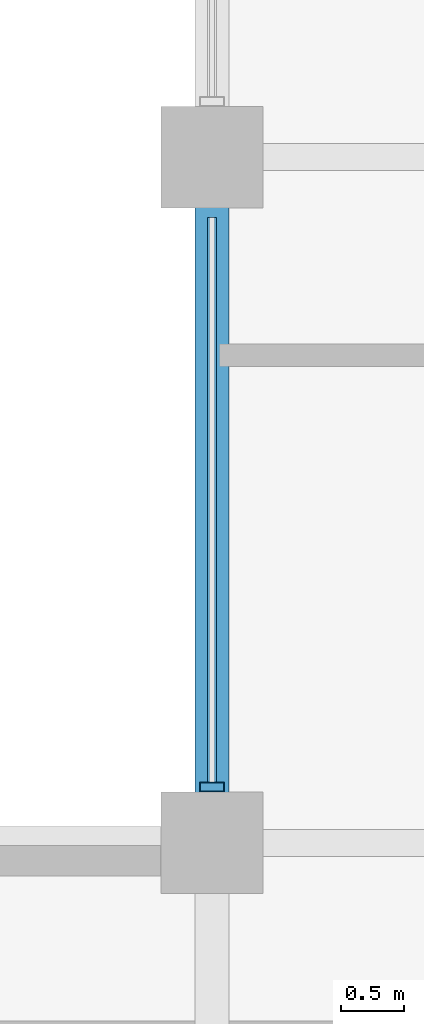
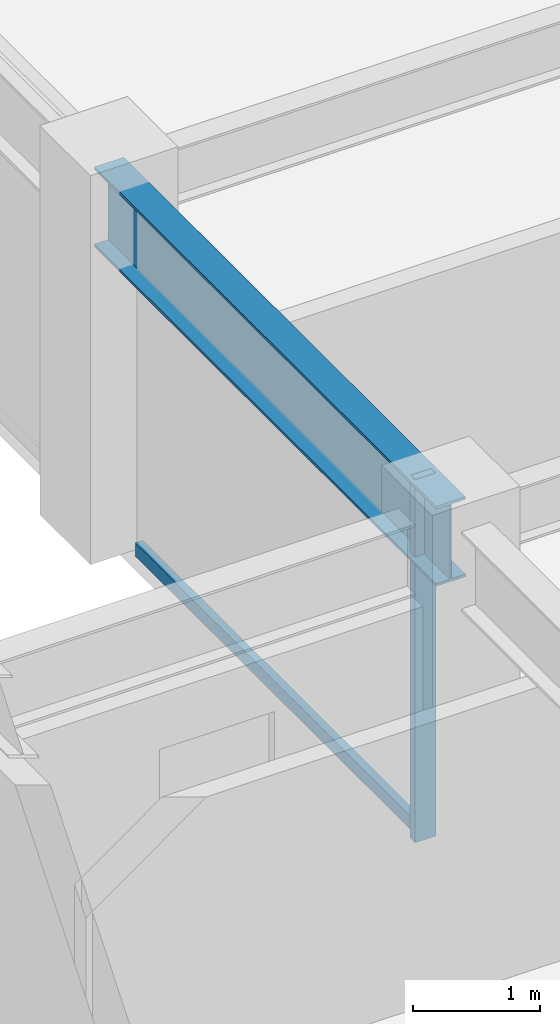
# One storey, part 7 of 28: 2 members, 1 beam, 1 element without a shape of its own.
"""IFC4 building model written with IfcOpenShell, lengths in metres."""

from ifc_helpers import new_model, si_unit, direction, frame, origin, origin_2d, place, context, subcontext, project, spatial, hollow_rectangle, i_section, extrude, material, layer, layer_set, material_profile, profile_set, type_object, element, aggregate, save


model = new_model("IFC4")

# Units and contexts
model_context = context("Model", 3, precision=1e-05, world=origin(), true_north=direction((0.0, 1.0)))
body_context = subcontext(model_context, "Body", "Model", "MODEL_VIEW")
ifc_project = project(units=[si_unit("LENGTHUNIT", "METRE"), si_unit("AREAUNIT", "SQUARE_METRE"), si_unit("VOLUMEUNIT", "CUBIC_METRE"), si_unit("PLANEANGLEUNIT", "RADIAN"), si_unit("MASSUNIT", "GRAM", prefix="KILO")], contexts=[model_context])

# Site, building, storey
site_placement = place(None, origin())
site = spatial("IfcSite", under=ifc_project, at=site_placement, CompositionType="ELEMENT")
building_placement = place(site_placement, origin())
building = spatial("IfcBuilding", under=site, at=building_placement, Name="Surkhivell Harbour Commons", CompositionType="ELEMENT")
storey_placement = place(building_placement, frame((0.0, 0.0, 246.0)))
storey = spatial("IfcBuildingStorey", under=building, at=storey_placement, Name="L64", CompositionType="ELEMENT", Elevation=246.0)

# Beam
ifc_material_1 = material(Name="Steel S355", Category="steel")
ifc_material_profile_1 = material_profile(ifc_material_1, i_section(OverallWidth=0.26806640625, OverallDepth=0.77001953125, WebThickness=0.015625, FlangeThickness=0.025390625, at=origin_2d()), Name="UB762x267x197")
ifc_profile_set_1 = profile_set([ifc_material_profile_1], Name="Steel S355")
beam_type = type_object("IfcBeamType", Name="BM-SPN-762", PredefinedType="SPANDREL", material=ifc_profile_set_1)
beam_placement = place(storey_placement, frame((-27.0, 5.39990234375, 3.114990234375), z_axis=(0.0, 1.0, 0.0), x_axis=(-1.0, 0.0, 0.0)))
element("IfcBeam", 1, at=beam_placement, inside=storey, type_object=beam_type, Name="L64 Tube Spandrel (-27.0,5.4)", PredefinedType="SPANDREL", context=body_context, shape_type="SweptSolid", body=[
    extrude(i_section(OverallWidth=0.26806640625, OverallDepth=0.77001953125, WebThickness=0.015625, FlangeThickness=0.025390625, at=origin_2d()), origin(), (0.0, 0.0, 1.0), 5.400146484375),
])

# Curtain wall, members
ifc_material_2 = material(Name="Anodised pale-metal aluminium and insulated glazing", Category="aluminium")
ifc_layer = layer(ifc_material_2, 0.18994140625)
ifc_layer_set = layer_set([ifc_layer], Name="Anodised pale-metal aluminium and insulated glazing")
curtain_wall_type = type_object("IfcCurtainWallType", Name="CW-SYS-Z3", PredefinedType="NOTDEFINED", material=ifc_layer_set)
curtain_wall_placement = place(storey_placement, origin())
curtain_wall = element("IfcCurtainWall", 2, at=curtain_wall_placement, inside=storey, type_object=curtain_wall_type, Name="L64 Curtain Wall CW-L64-E12R2", PredefinedType="NOTDEFINED")
ifc_material_3 = material(Name="Anodised pale-metal aluminium alloy 6063-T6", Category="aluminium")
ifc_material_profile_2 = material_profile(ifc_material_3, hollow_rectangle(XDim=0.074951171875, YDim=0.18994140625, WallThickness=0.00390625, at=origin_2d()), Name="ALU-MULL-75x190")
ifc_profile_set_2 = profile_set([ifc_material_profile_2], Name="Anodised pale-metal aluminium alloy 6063-T6")
member_type_1 = type_object("IfcMemberType", Name="CWM-190", PredefinedType="MULLION", material=ifc_profile_set_2)
member_1_placement = place(storey_placement, frame((-27.0, 5.839599609375, 0.0), z_axis=(0.0, 0.0, 1.0), x_axis=(0.0, 1.0, 0.0)))
member_1 = element("IfcMember", 3, at=member_1_placement, type_object=member_type_1, Name="CW-Z3 mullion 1", PredefinedType="MULLION", context=body_context, shape_type="SweptSolid", body=[
    extrude(hollow_rectangle(XDim=0.074951171875, YDim=0.18994140625, WallThickness=0.00390625, at=origin_2d()), origin(), (0.0, 0.0, 1.0), 3.5),
])
ifc_material_4 = material(Name="Champagne anodised aluminium alloy 6063-T6", Category="aluminium")
ifc_material_profile_3 = material_profile(ifc_material_4, hollow_rectangle(XDim=0.070068359375, YDim=0.1298828125, WallThickness=0.00341796875, at=origin_2d()), Name="ALU-TRAN-70x130")
ifc_profile_set_3 = profile_set([ifc_material_profile_3], Name="Champagne anodised aluminium alloy 6063-T6")
member_type_2 = type_object("IfcMemberType", Name="CWT-130", PredefinedType="USERDEFINED", material=ifc_profile_set_3)
member_2_placement = place(storey_placement, frame((-27.0, 5.876953125, 0.06494140625), z_axis=(0.0, 1.0, 0.0), x_axis=(-1.0, 0.0, 0.0)))
member_2 = element("IfcMember", 4, at=member_2_placement, type_object=member_type_2, Name="CW-Z3 transom 1.1", ObjectType="TRANSOM", PredefinedType="USERDEFINED", context=body_context, shape_type="SweptSolid", body=[
    extrude(hollow_rectangle(XDim=0.070068359375, YDim=0.1298828125, WallThickness=0.00341796875, at=origin_2d()), origin(), (0.0, 0.0, 1.0), 4.446044921875),
])
aggregate(curtain_wall, [member_1, member_2])

save(model, "model.ifc")
